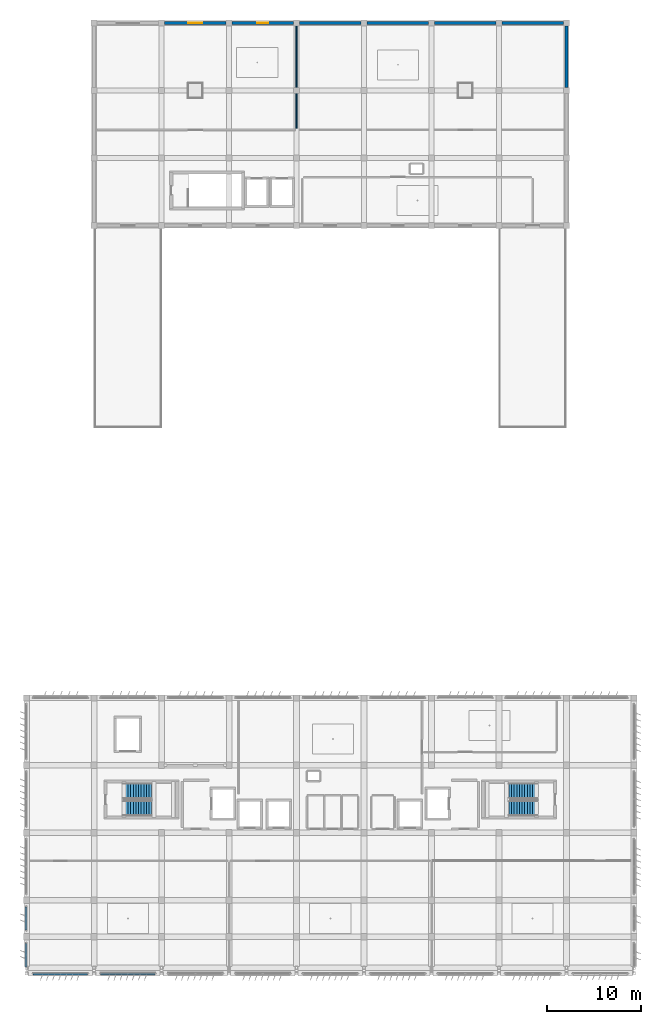
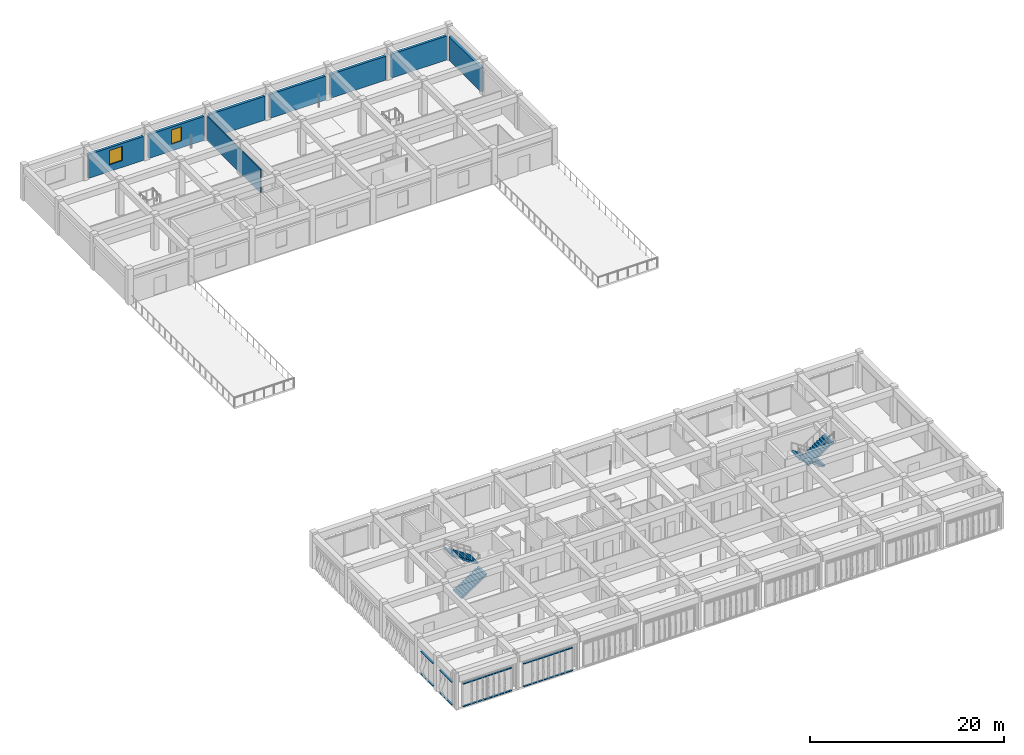
# One storey, part 38 of 56: 8 discrete accessories, 8 walls, 4 stair flights, 2 windows, 2 openings, 2 elements without a shape of their own.
"""IFC4 building model written with IfcOpenShell, lengths in metres."""

from ifc_helpers import new_model, si_unit, direction, frame, frame_2d, origin, origin_2d, place, context, subcontext, project, spatial, polyline, rectangle, outline, extrude, material, layer, layer_set, type_object, element, fill, aggregate, save


model = new_model("IFC4")

# Units and contexts
model_context = context("Model", 3, precision=1e-05, world=origin(), true_north=direction((0.0, 1.0)))
body_context = subcontext(model_context, "Body", "Model", "MODEL_VIEW")
ifc_project = project(units=[si_unit("LENGTHUNIT", "METRE"), si_unit("AREAUNIT", "SQUARE_METRE"), si_unit("VOLUMEUNIT", "CUBIC_METRE"), si_unit("PLANEANGLEUNIT", "RADIAN"), si_unit("MASSUNIT", "GRAM", prefix="KILO")], contexts=[model_context])

# Site, building, storey
site_placement = place(None, origin())
site = spatial("IfcSite", under=ifc_project, at=site_placement, CompositionType="ELEMENT")
building_placement = place(site_placement, origin())
building = spatial("IfcBuilding", under=site, at=building_placement, Name="Kazehaya Institute of Natural Sciences", CompositionType="ELEMENT")
storey_placement = place(building_placement, frame((0.0, 0.0, 28.800048828125)))
storey = spatial("IfcBuildingStorey", under=building, at=storey_placement, Name="L06", CompositionType="ELEMENT", Elevation=28.800048828125)

# Wall
ifc_material_1 = material(Name="Precast concrete Fc36", Category="concrete")
ifc_layer_1 = layer(ifc_material_1, 0.320068359375, Name="Precast concrete Fc36", Category="concrete")
ifc_layer_set_1 = layer_set([ifc_layer_1], Name="Precast concrete Fc36")
wall_type_1 = type_object("IfcWallType", Name="WL-EXT-320", PredefinedType="SOLIDWALL", material=ifc_layer_set_1)
wall_1_placement = place(storey_placement, frame((112.199951171875, 107.2900390625, 0.0), z_axis=(0.0, 0.0, 1.0), x_axis=(0.0, -1.0, 0.0)))
element("IfcWall", 1, at=wall_1_placement, inside=storey, type_object=wall_type_1, Name="L06 exterior wall EW-L06-0336", PredefinedType="SOLIDWALL", context=body_context, shape_type="SweptSolid", body=[
    extrude(rectangle(XDim=6.580078125, YDim=0.320068359375, at=frame_2d((3.2900390625, 0.0))), origin(), (0.0, 0.0, 1.0), 3.0),
])

# Wall, opening, window
wall_2_placement = place(storey_placement, frame((69.31005859375, 107.60009765625, 0.0), z_axis=(0.0, 0.0, 1.0), x_axis=(1.0, 0.0, 0.0)))
wall_2 = element("IfcWall", 2, at=wall_2_placement, inside=storey, type_object=wall_type_1, Name="L06 exterior wall EW-L06-0338", PredefinedType="SOLIDWALL", context=body_context, shape_type="SweptSolid", body=[
    extrude(rectangle(XDim=6.579833984375, YDim=0.320068359375, at=frame_2d((3.2900390625, 0.0))), origin(), (0.0, 0.0, 1.0), 3.0),
])
opening_1_placement = place(wall_2_placement, frame((2.5400390625, 0.0, 0.85009765625)))
opening_1 = element("IfcOpeningElement", 3, at=opening_1_placement, cuts=wall_2, Name="Opening W14", PredefinedType="OPENING", context=body_context, shape_type="SweptSolid", body=[
    extrude(rectangle(XDim=1.5, YDim=1.800048828125, at=frame_2d((0.75, 0.89990234375))), frame((0.0, 0.169921875, 0.0), z_axis=(0.0, -1.0, 0.0), x_axis=(1.0, 0.0, 0.0)), (0.0, 0.0, 1.0), 0.340087890625),
])
ifc_material_2 = material(Name="Low-E double-glazed aluminium window", Category="aluminium")
window_type_1 = type_object("IfcWindowType", Name="WN-14", PartitioningType="SINGLE_PANEL", PredefinedType="WINDOW", material=ifc_material_2)
window_1_placement = place(opening_1_placement, origin())
window_1 = element("IfcWindow", 4, at=window_1_placement, inside=storey, type_object=window_type_1, Name="L06 facade window 0206", OverallHeight=1.800048828125, OverallWidth=1.5, PartitioningType="SINGLE_PANEL", PredefinedType="WINDOW", context=body_context, shape_type="SweptSolid", body=[
    extrude(rectangle(XDim=1.5, YDim=1.800048828125, at=frame_2d((0.75, 0.89990234375))), frame((0.0, 0.030029296875, 0.0), z_axis=(0.0, -1.0, 0.0), x_axis=(1.0, 0.0, 0.0)), (0.0, 0.0, 1.0), 0.06005859375),
])
fill(opening_1, window_1)

wall_3_placement = place(storey_placement, frame((76.510009765625, 107.60009765625, 0.0), z_axis=(0.0, 0.0, 1.0), x_axis=(1.0, 0.0, 0.0)))
wall_3 = element("IfcWall", 5, at=wall_3_placement, inside=storey, type_object=wall_type_1, Name="L06 exterior wall EW-L06-0339", PredefinedType="SOLIDWALL", context=body_context, shape_type="SweptSolid", body=[
    extrude(rectangle(XDim=6.580078125, YDim=0.320068359375, at=frame_2d((3.2900390625, 0.0))), origin(), (0.0, 0.0, 1.0), 3.0),
])
opening_2_placement = place(wall_3_placement, frame((2.68994140625, 0.0, 0.85009765625)))
opening_2 = element("IfcOpeningElement", 6, at=opening_2_placement, cuts=wall_3, Name="Opening W15", PredefinedType="OPENING", context=body_context, shape_type="SweptSolid", body=[
    extrude(rectangle(XDim=1.199951171875, YDim=1.800048828125, at=frame_2d((0.60009765625, 0.89990234375))), frame((0.0, 0.169921875, 0.0), z_axis=(0.0, -1.0, 0.0), x_axis=(1.0, 0.0, 0.0)), (0.0, 0.0, 1.0), 0.340087890625),
])
window_type_2 = type_object("IfcWindowType", Name="WN-15", PartitioningType="SINGLE_PANEL", PredefinedType="WINDOW", material=ifc_material_2)
window_2_placement = place(opening_2_placement, origin())
window_2 = element("IfcWindow", 7, at=window_2_placement, inside=storey, type_object=window_type_2, Name="L06 facade window 0207", OverallHeight=1.800048828125, OverallWidth=1.199951171875, PartitioningType="SINGLE_PANEL", PredefinedType="WINDOW", context=body_context, shape_type="SweptSolid", body=[
    extrude(rectangle(XDim=1.199951171875, YDim=1.800048828125, at=frame_2d((0.60009765625, 0.89990234375))), frame((0.0, 0.030029296875, 0.0), z_axis=(0.0, -1.0, 0.0), x_axis=(1.0, 0.0, 0.0)), (0.0, 0.0, 1.0), 0.06005859375),
])
fill(opening_2, window_2)

# Walls
for number, where, z_axis, x_axis, name in (
    (8, (83.7099609375, 107.60009765625, 0.0), (0.0, 0.0, 1.0), (1.0, 0.0, 0.0), "L06 exterior wall EW-L06-0340"),
    (9, (90.909912109375, 107.60009765625, 0.0), (0.0, 0.0, 1.0), (1.0, 0.0, 0.0), "L06 exterior wall EW-L06-0341"),
):
    element("IfcWall", number, at=place(storey_placement, frame(where, z_axis=z_axis, x_axis=x_axis)), inside=storey, type_object=wall_type_1, Name=name, PredefinedType="SOLIDWALL", context=body_context, shape_type="SweptSolid", body=[
        extrude(rectangle(XDim=6.580078125, YDim=0.320068359375, at=frame_2d((3.2900390625, 0.0))), origin(), (0.0, 0.0, 1.0), 3.0),
    ])
for number, where, z_axis, x_axis, name in (
    (10, (98.110107421875, 107.60009765625, 0.0), (0.0, 0.0, 1.0), (1.0, 0.0, 0.0), "L06 exterior wall EW-L06-0342"),
    (11, (105.31005859375, 107.60009765625, 0.0), (0.0, 0.0, 1.0), (1.0, 0.0, 0.0), "L06 exterior wall EW-L06-0343"),
):
    element("IfcWall", number, at=place(storey_placement, frame(where, z_axis=z_axis, x_axis=x_axis)), inside=storey, type_object=wall_type_1, Name=name, PredefinedType="SOLIDWALL", context=body_context, shape_type="SweptSolid", body=[
        extrude(rectangle(XDim=6.579833984375, YDim=0.320068359375, at=frame_2d((3.2900390625, 0.0))), origin(), (0.0, 0.0, 1.0), 3.0),
    ])
ifc_material_3 = material(Name="Gypsum partition", Category="gypsum")
ifc_layer_2 = layer(ifc_material_3, 0.139892578125, Name="Gypsum partition", Category="gypsum")
ifc_layer_set_2 = layer_set([ifc_layer_2], Name="Gypsum partition")
wall_type_2 = type_object("IfcWallType", Name="WL-PART-140", PredefinedType="PARTITIONING", material=ifc_layer_set_2)
wall_4_placement = place(storey_placement, frame((83.39990234375, 107.449951171875, 0.0), z_axis=(0.0, 0.0, 1.0), x_axis=(0.0, -1.0, 0.0)))
element("IfcWall", 12, at=wall_4_placement, inside=storey, type_object=wall_type_2, Name="L06 Clean Analytical Suite partition IW-L06-0320", PredefinedType="PARTITIONING", context=body_context, shape_type="SweptSolid", body=[
    extrude(rectangle(XDim=11.099853515625, YDim=0.139892578125, at=frame_2d((5.5498046875, 0.0))), origin(), (0.0, 0.0, 1.0), 2.97998046875),
])

# Stair, stair flights
ifc_material_4 = material(Name="Concrete Fc36", Category="concrete")
stair_type = type_object("IfcStairType", Name="STR-DOG-4500", PredefinedType="HALF_TURN_STAIR", material=ifc_material_4)
stair_1_placement = place(storey_placement, origin())
stair_1 = element("IfcStair", 13, at=stair_1_placement, inside=storey, type_object=stair_type, Name="L06 Protected Escape Stair ST-1", PredefinedType="HALF_TURN_STAIR")
stair_flight_type = type_object("IfcStairFlightType", Name="STF-DOG-4500", PredefinedType="STRAIGHT", material=ifc_material_4)
stair_flight_1_placement = place(storey_placement, frame((64.860107421875, 23.830078125, 0.0), z_axis=(0.0, 0.0, 1.0), x_axis=(1.0, 0.0, 0.0)))
stair_flight_1 = element("IfcStairFlight", 14, at=stair_flight_1_placement, type_object=stair_flight_type, Name="ST-1 flight 1", NumberOfRisers=12, NumberOfTreads=11, PredefinedType="STRAIGHT", RiserHeight=0.1875, TreadLength=0.28, context=body_context, shape_type="SweptSolid", body=[
    extrude(outline(polyline([(0.0, 0.0), (0.0, 0.1875), (0.280029296875, 0.1875), (0.280029296875, 0.375), (0.56005859375, 0.375), (0.56005859375, 0.5625), (0.840087890625, 0.5625), (0.840087890625, 0.75), (1.1201171875, 0.75), (1.1201171875, 0.9375), (1.39990234375, 0.9375), (1.39990234375, 1.125), (1.679931640625, 1.125), (1.679931640625, 1.3125), (1.9599609375, 1.3125), (1.9599609375, 1.5), (2.239990234375, 1.5), (2.239990234375, 1.6875), (2.52001953125, 1.6875), (2.52001953125, 1.875), (2.800048828125, 1.875), (2.800048828125, 2.0625), (3.080078125, 2.0625), (3.080078125, 2.25), (3.080078125, 1.882080078125), (0.26953125, 0.0), (0.0, 0.0)])), frame((0.0, 0.830078125, 0.0), z_axis=(0.0, -1.0, 0.0), x_axis=(1.0, 0.0, 0.0)), (0.0, 0.0, 1.0), 1.659912109375),
])
stair_flight_2_placement = place(storey_placement, frame((67.93994140625, 25.64990234375, 2.25), z_axis=(0.0, 0.0, 1.0), x_axis=(-1.0, 0.0, 0.0)))
stair_flight_2 = element("IfcStairFlight", 15, at=stair_flight_2_placement, type_object=stair_flight_type, Name="ST-1 flight 2", NumberOfRisers=12, NumberOfTreads=11, PredefinedType="STRAIGHT", RiserHeight=0.1875, TreadLength=0.28, context=body_context, shape_type="SweptSolid", body=[
    extrude(outline(polyline([(0.0, 0.0), (0.0, 0.1875), (0.280029296875, 0.1875), (0.280029296875, 0.375), (0.56005859375, 0.375), (0.56005859375, 0.5625), (0.840087890625, 0.5625), (0.840087890625, 0.75), (1.1201171875, 0.75), (1.1201171875, 0.9375), (1.39990234375, 0.9375), (1.39990234375, 1.125), (1.679931640625, 1.125), (1.679931640625, 1.3125), (1.9599609375, 1.3125), (1.9599609375, 1.5), (2.239990234375, 1.5), (2.239990234375, 1.6875), (2.52001953125, 1.6875), (2.52001953125, 1.875), (2.800048828125, 1.875), (2.800048828125, 2.0625), (3.080078125, 2.0625), (3.080078125, 2.25), (3.080078125, 1.882080078125), (0.26953125, 0.0), (0.0, 0.0)])), frame((0.0, 0.830078125, 0.0), z_axis=(0.0, -1.0, 0.0), x_axis=(1.0, 0.0, 0.0)), (0.0, 0.0, 1.0), 1.659912109375),
])
aggregate(stair_1, [stair_flight_1, stair_flight_2])

stair_2_placement = place(storey_placement, origin())
stair_2 = element("IfcStair", 16, at=stair_2_placement, inside=storey, type_object=stair_type, Name="L06 Protected Escape Stair ST-2", PredefinedType="HALF_TURN_STAIR")
stair_flight_3_placement = place(storey_placement, frame((109.139892578125, 25.64990234375, 0.0), z_axis=(0.0, 0.0, 1.0), x_axis=(-1.0, 0.0, 0.0)))
stair_flight_3 = element("IfcStairFlight", 17, at=stair_flight_3_placement, type_object=stair_flight_type, Name="ST-2 flight 1", NumberOfRisers=12, NumberOfTreads=11, PredefinedType="STRAIGHT", RiserHeight=0.1875, TreadLength=0.28, context=body_context, shape_type="SweptSolid", body=[
    extrude(outline(polyline([(0.0, 0.0), (0.0, 0.1875), (0.280029296875, 0.1875), (0.280029296875, 0.375), (0.56005859375, 0.375), (0.56005859375, 0.5625), (0.840087890625, 0.5625), (0.840087890625, 0.75), (1.1201171875, 0.75), (1.1201171875, 0.9375), (1.39990234375, 0.9375), (1.39990234375, 1.125), (1.679931640625, 1.125), (1.679931640625, 1.3125), (1.9599609375, 1.3125), (1.9599609375, 1.5), (2.239990234375, 1.5), (2.239990234375, 1.6875), (2.52001953125, 1.6875), (2.52001953125, 1.875), (2.800048828125, 1.875), (2.800048828125, 2.0625), (3.080078125, 2.0625), (3.080078125, 2.25), (3.080078125, 1.882080078125), (0.26953125, 0.0), (0.0, 0.0)])), frame((0.0, 0.830078125, 0.0), z_axis=(0.0, -1.0, 0.0), x_axis=(1.0, 0.0, 0.0)), (0.0, 0.0, 1.0), 1.659912109375),
])
stair_flight_4_placement = place(storey_placement, frame((106.06005859375, 23.830078125, 2.25), z_axis=(0.0, 0.0, 1.0), x_axis=(1.0, 0.0, 0.0)))
stair_flight_4 = element("IfcStairFlight", 18, at=stair_flight_4_placement, type_object=stair_flight_type, Name="ST-2 flight 2", NumberOfRisers=12, NumberOfTreads=11, PredefinedType="STRAIGHT", RiserHeight=0.1875, TreadLength=0.28, context=body_context, shape_type="SweptSolid", body=[
    extrude(outline(polyline([(0.0, 0.0), (0.0, 0.1875), (0.280029296875, 0.1875), (0.280029296875, 0.375), (0.56005859375, 0.375), (0.56005859375, 0.5625), (0.840087890625, 0.5625), (0.840087890625, 0.75), (1.1201171875, 0.75), (1.1201171875, 0.9375), (1.39990234375, 0.9375), (1.39990234375, 1.125), (1.679931640625, 1.125), (1.679931640625, 1.3125), (1.9599609375, 1.3125), (1.9599609375, 1.5), (2.239990234375, 1.5), (2.239990234375, 1.6875), (2.52001953125, 1.6875), (2.52001953125, 1.875), (2.800048828125, 1.875), (2.800048828125, 2.0625), (3.080078125, 2.0625), (3.080078125, 2.25), (3.080078125, 1.882080078125), (0.26953125, 0.0), (0.0, 0.0)])), frame((0.0, 0.830078125, 0.0), z_axis=(0.0, -1.0, 0.0), x_axis=(1.0, 0.0, 0.0)), (0.0, 0.0, 1.0), 1.659912109375),
])
aggregate(stair_2, [stair_flight_3, stair_flight_4])

# Discrete accessories
ifc_material_5 = material(Name="Aluminium alloy A6063S-T5", Category="aluminium")
discrete_accessory_type = type_object("IfcDiscreteAccessoryType", Name="ACC-BRK-01", PredefinedType="BRACKET", material=ifc_material_5)
for number, where, z_axis, x_axis, name in (
    (19, (65.39990234375, 6.125, 0.039794921875), (0.0, 0.0, 1.0), (-1.0, 0.0, 0.0), "L06 fin support outrigger rail 1"),
    (20, (65.39990234375, 6.125, 2.8798828125), (0.0, 0.0, 1.0), (-1.0, 0.0, 0.0), "L06 fin support outrigger rail 2"),
    (21, (58.199951171875, 6.125, 0.039794921875), (0.0, 0.0, 1.0), (-1.0, 0.0, 0.0), "L06 fin support outrigger rail 1"),
    (22, (58.199951171875, 6.125, 2.8798828125), (0.0, 0.0, 1.0), (-1.0, 0.0, 0.0), "L06 fin support outrigger rail 2"),
):
    element("IfcDiscreteAccessory", number, at=place(storey_placement, frame(where, z_axis=z_axis, x_axis=x_axis)), inside=storey, type_object=discrete_accessory_type, Name=name, PredefinedType="BRACKET", context=body_context, shape_type="SweptSolid", body=[
        extrude(rectangle(XDim=5.800048828125, YDim=0.219970703125, at=origin_2d()), origin(), (0.0, 0.0, 1.0), 0.080078125),
    ])
for number, where, z_axis, x_axis, name in (
    (23, (54.52490234375, 8.14990234375, 0.039794921875), (0.0, 0.0, 1.0), (0.0, 1.0, 0.0), "L06 fin support outrigger rail 1"),
    (24, (54.52490234375, 8.14990234375, 2.8798828125), (0.0, 0.0, 1.0), (0.0, 1.0, 0.0), "L06 fin support outrigger rail 2"),
    (25, (54.52490234375, 12.050048828125, 0.039794921875), (0.0, 0.0, 1.0), (0.0, 1.0, 0.0), "L06 fin support outrigger rail 1"),
    (26, (54.52490234375, 12.050048828125, 2.8798828125), (0.0, 0.0, 1.0), (0.0, 1.0, 0.0), "L06 fin support outrigger rail 2"),
):
    element("IfcDiscreteAccessory", number, at=place(storey_placement, frame(where, z_axis=z_axis, x_axis=x_axis)), inside=storey, type_object=discrete_accessory_type, Name=name, PredefinedType="BRACKET", context=body_context, shape_type="SweptSolid", body=[
        extrude(rectangle(XDim=2.5, YDim=0.219970703125, at=origin_2d()), origin(), (0.0, 0.0, 1.0), 0.080078125),
    ])

save(model, "model.ifc")
